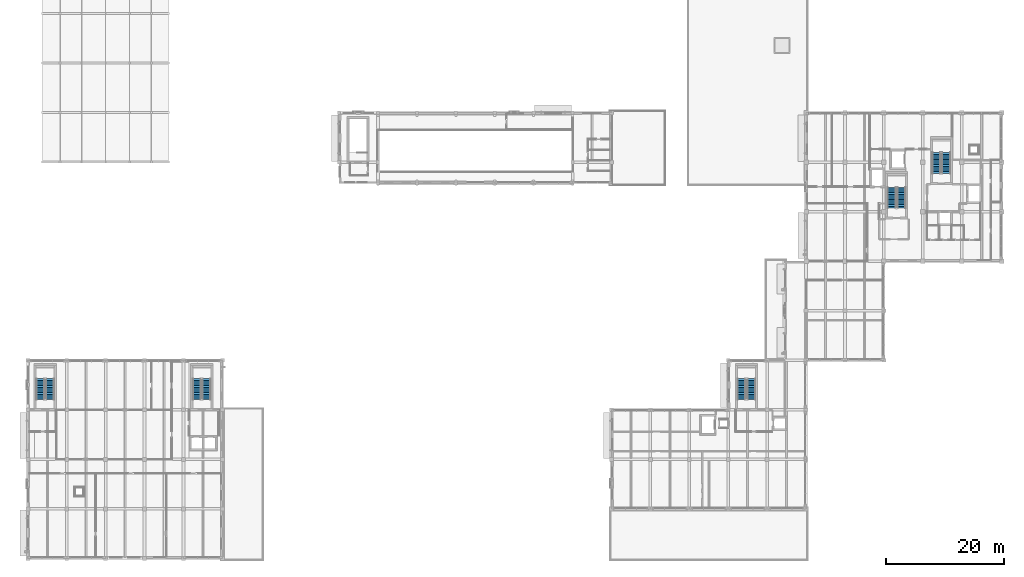
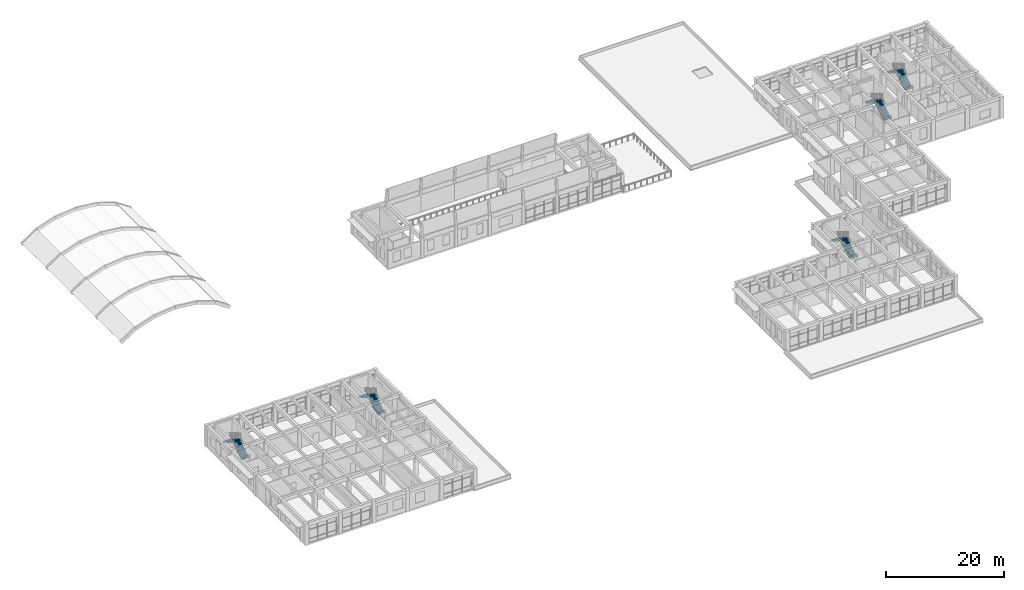
# One storey, part 36 of 50: 10 stair flights, 5 elements without a shape of their own.
"""IFC4 building model written with IfcOpenShell, lengths in metres."""

from ifc_helpers import new_model, si_unit, direction, frame, origin, place, context, subcontext, project, spatial, polyline, outline, extrude, material, type_object, element, aggregate, save


model = new_model("IFC4")

# Units and contexts
model_context = context("Model", 3, precision=1e-05, world=origin(), true_north=direction((0.0, 1.0)))
body_context = subcontext(model_context, "Body", "Model", "MODEL_VIEW")
ifc_project = project(units=[si_unit("LENGTHUNIT", "METRE"), si_unit("AREAUNIT", "SQUARE_METRE"), si_unit("VOLUMEUNIT", "CUBIC_METRE"), si_unit("PLANEANGLEUNIT", "RADIAN"), si_unit("MASSUNIT", "GRAM", prefix="KILO")], contexts=[model_context])

# Site, building, storey
site_placement = place(None, origin())
site = spatial("IfcSite", under=ifc_project, at=site_placement, CompositionType="ELEMENT")
building_placement = place(site_placement, origin())
building = spatial("IfcBuilding", under=site, at=building_placement, Name="Kolvaren Faculty of Natural Sciences", CompositionType="ELEMENT")
storey_placement = place(building_placement, frame((0.0, 0.0, 15.0)))
storey = spatial("IfcBuildingStorey", under=building, at=storey_placement, Name="L03", CompositionType="ELEMENT", Elevation=15.0)

# Stair, stair flights
ifc_material = material(Name="Concrete C35/45", Category="concrete")
stair_type = type_object("IfcStairType", Name="DoglegStair_H4500", PredefinedType="HALF_TURN_STAIR", material=ifc_material)
stair_1_placement = place(storey_placement, origin())
stair_1 = element("IfcStair", 1, at=stair_1_placement, inside=storey, type_object=stair_type, Name="L03 Protected exit stair ST-1", PredefinedType="HALF_TURN_STAIR")
stair_flight_type = type_object("IfcStairFlightType", Name="StairFlight_R1731", PredefinedType="STRAIGHT", material=ifc_material)
stair_flight_1_placement = place(storey_placement, frame((162.574951171875, 73.89990234375, 0.0), z_axis=(0.0, 0.0, 1.0), x_axis=(0.0, 1.0, 0.0)))
stair_flight_1 = element("IfcStairFlight", 2, at=stair_flight_1_placement, type_object=stair_flight_type, Name="ST-1 flight 1", NumberOfRisers=13, NumberOfTreads=12, PredefinedType="STRAIGHT", RiserHeight=0.173076923, TreadLength=0.295, context=body_context, shape_type="SweptSolid", body=[
    extrude(outline(polyline([(0.0, 0.0), (0.0, 0.173095703125), (0.294921875, 0.173095703125), (0.294921875, 0.34619140625), (0.590087890625, 0.34619140625), (0.590087890625, 0.519287109375), (0.885009765625, 0.519287109375), (0.885009765625, 0.6923828125), (1.179931640625, 0.6923828125), (1.179931640625, 0.865478515625), (1.47509765625, 0.865478515625), (1.47509765625, 1.03857421875), (1.77001953125, 1.03857421875), (1.77001953125, 1.21142578125), (2.06494140625, 1.21142578125), (2.06494140625, 1.384521484375), (2.360107421875, 1.384521484375), (2.360107421875, 1.5576171875), (2.655029296875, 1.5576171875), (2.655029296875, 1.730712890625), (2.949951171875, 1.730712890625), (2.949951171875, 1.90380859375), (3.2451171875, 1.90380859375), (3.2451171875, 2.076904296875), (3.5400390625, 2.076904296875), (3.5400390625, 2.25), (3.5400390625, 1.903076171875), (0.296142578125, 0.0), (0.0, 0.0)])), frame((0.0, 0.72509765625, 0.0), z_axis=(0.0, -1.0, 0.0), x_axis=(1.0, 0.0, 0.0)), (0.0, 0.0, 1.0), 1.449951171875),
])
stair_flight_2_placement = place(storey_placement, frame((160.925048828125, 77.43994140625, 2.25), z_axis=(0.0, 0.0, 1.0), x_axis=(0.0, -1.0, 0.0)))
stair_flight_2 = element("IfcStairFlight", 3, at=stair_flight_2_placement, type_object=stair_flight_type, Name="ST-1 flight 2", NumberOfRisers=13, NumberOfTreads=12, PredefinedType="STRAIGHT", RiserHeight=0.173076923, TreadLength=0.295, context=body_context, shape_type="SweptSolid", body=[
    extrude(outline(polyline([(0.0, 0.0), (0.0, 0.173095703125), (0.294921875, 0.173095703125), (0.294921875, 0.34619140625), (0.590087890625, 0.34619140625), (0.590087890625, 0.519287109375), (0.885009765625, 0.519287109375), (0.885009765625, 0.6923828125), (1.179931640625, 0.6923828125), (1.179931640625, 0.865478515625), (1.47509765625, 0.865478515625), (1.47509765625, 1.03857421875), (1.77001953125, 1.03857421875), (1.77001953125, 1.21142578125), (2.06494140625, 1.21142578125), (2.06494140625, 1.384521484375), (2.360107421875, 1.384521484375), (2.360107421875, 1.5576171875), (2.655029296875, 1.5576171875), (2.655029296875, 1.730712890625), (2.949951171875, 1.730712890625), (2.949951171875, 1.90380859375), (3.2451171875, 1.90380859375), (3.2451171875, 2.076904296875), (3.5400390625, 2.076904296875), (3.5400390625, 2.25), (3.5400390625, 1.903076171875), (0.296142578125, 0.0), (0.0, 0.0)])), frame((0.0, 0.72509765625, 0.0), z_axis=(0.0, -1.0, 0.0), x_axis=(1.0, 0.0, 0.0)), (0.0, 0.0, 1.0), 1.449951171875),
])
aggregate(stair_1, [stair_flight_1, stair_flight_2])

stair_2_placement = place(storey_placement, origin())
stair_2 = element("IfcStair", 4, at=stair_2_placement, inside=storey, type_object=stair_type, Name="L03 Protected exit stair ST-2", PredefinedType="HALF_TURN_STAIR")
stair_flight_3_placement = place(storey_placement, frame((154.97509765625, 68.0, 0.0), z_axis=(0.0, 0.0, 1.0), x_axis=(0.0, 1.0, 0.0)))
stair_flight_3 = element("IfcStairFlight", 5, at=stair_flight_3_placement, type_object=stair_flight_type, Name="ST-2 flight 1", NumberOfRisers=13, NumberOfTreads=12, PredefinedType="STRAIGHT", RiserHeight=0.173076923, TreadLength=0.295, context=body_context, shape_type="SweptSolid", body=[
    extrude(outline(polyline([(0.0, 0.0), (0.0, 0.173095703125), (0.294921875, 0.173095703125), (0.294921875, 0.34619140625), (0.590087890625, 0.34619140625), (0.590087890625, 0.519287109375), (0.885009765625, 0.519287109375), (0.885009765625, 0.6923828125), (1.179931640625, 0.6923828125), (1.179931640625, 0.865478515625), (1.47509765625, 0.865478515625), (1.47509765625, 1.03857421875), (1.77001953125, 1.03857421875), (1.77001953125, 1.21142578125), (2.06494140625, 1.21142578125), (2.06494140625, 1.384521484375), (2.360107421875, 1.384521484375), (2.360107421875, 1.5576171875), (2.655029296875, 1.5576171875), (2.655029296875, 1.730712890625), (2.949951171875, 1.730712890625), (2.949951171875, 1.90380859375), (3.2451171875, 1.90380859375), (3.2451171875, 2.076904296875), (3.5400390625, 2.076904296875), (3.5400390625, 2.25), (3.5400390625, 1.903076171875), (0.296142578125, 0.0), (0.0, 0.0)])), frame((0.0, 0.72509765625, 0.0), z_axis=(0.0, -1.0, 0.0), x_axis=(1.0, 0.0, 0.0)), (0.0, 0.0, 1.0), 1.449951171875),
])
stair_flight_4_placement = place(storey_placement, frame((153.324951171875, 71.5400390625, 2.25), z_axis=(0.0, 0.0, 1.0), x_axis=(0.0, -1.0, 0.0)))
stair_flight_4 = element("IfcStairFlight", 6, at=stair_flight_4_placement, type_object=stair_flight_type, Name="ST-2 flight 2", NumberOfRisers=13, NumberOfTreads=12, PredefinedType="STRAIGHT", RiserHeight=0.173076923, TreadLength=0.295, context=body_context, shape_type="SweptSolid", body=[
    extrude(outline(polyline([(0.0, 0.0), (0.0, 0.173095703125), (0.294921875, 0.173095703125), (0.294921875, 0.34619140625), (0.590087890625, 0.34619140625), (0.590087890625, 0.519287109375), (0.885009765625, 0.519287109375), (0.885009765625, 0.6923828125), (1.179931640625, 0.6923828125), (1.179931640625, 0.865478515625), (1.47509765625, 0.865478515625), (1.47509765625, 1.03857421875), (1.77001953125, 1.03857421875), (1.77001953125, 1.21142578125), (2.06494140625, 1.21142578125), (2.06494140625, 1.384521484375), (2.360107421875, 1.384521484375), (2.360107421875, 1.5576171875), (2.655029296875, 1.5576171875), (2.655029296875, 1.730712890625), (2.949951171875, 1.730712890625), (2.949951171875, 1.90380859375), (3.2451171875, 1.90380859375), (3.2451171875, 2.076904296875), (3.5400390625, 2.076904296875), (3.5400390625, 2.25), (3.5400390625, 1.903076171875), (0.296142578125, 0.0), (0.0, 0.0)])), frame((0.0, 0.72509765625, 0.0), z_axis=(0.0, -1.0, 0.0), x_axis=(1.0, 0.0, 0.0)), (0.0, 0.0, 1.0), 1.449951171875),
])
aggregate(stair_2, [stair_flight_3, stair_flight_4])

stair_3_placement = place(storey_placement, origin())
stair_3 = element("IfcStair", 7, at=stair_3_placement, inside=storey, type_object=stair_type, Name="L03 Protected exit stair ST-3", PredefinedType="HALF_TURN_STAIR")
stair_flight_5_placement = place(storey_placement, frame((129.52490234375, 35.550048828125, 0.0), z_axis=(0.0, 0.0, 1.0), x_axis=(0.0, 1.0, 0.0)))
stair_flight_5 = element("IfcStairFlight", 8, at=stair_flight_5_placement, type_object=stair_flight_type, Name="ST-3 flight 1", NumberOfRisers=13, NumberOfTreads=12, PredefinedType="STRAIGHT", RiserHeight=0.173076923, TreadLength=0.295, context=body_context, shape_type="SweptSolid", body=[
    extrude(outline(polyline([(0.0, 0.0), (0.0, 0.173095703125), (0.294921875, 0.173095703125), (0.294921875, 0.34619140625), (0.590087890625, 0.34619140625), (0.590087890625, 0.519287109375), (0.885009765625, 0.519287109375), (0.885009765625, 0.6923828125), (1.179931640625, 0.6923828125), (1.179931640625, 0.865478515625), (1.47509765625, 0.865478515625), (1.47509765625, 1.03857421875), (1.77001953125, 1.03857421875), (1.77001953125, 1.21142578125), (2.06494140625, 1.21142578125), (2.06494140625, 1.384521484375), (2.360107421875, 1.384521484375), (2.360107421875, 1.5576171875), (2.655029296875, 1.5576171875), (2.655029296875, 1.730712890625), (2.949951171875, 1.730712890625), (2.949951171875, 1.90380859375), (3.2451171875, 1.90380859375), (3.2451171875, 2.076904296875), (3.5400390625, 2.076904296875), (3.5400390625, 2.25), (3.5400390625, 1.903076171875), (0.296142578125, 0.0), (0.0, 0.0)])), frame((0.0, 0.72509765625, 0.0), z_axis=(0.0, -1.0, 0.0), x_axis=(1.0, 0.0, 0.0)), (0.0, 0.0, 1.0), 1.449951171875),
])
stair_flight_6_placement = place(storey_placement, frame((127.875, 39.090087890625, 2.25), z_axis=(0.0, 0.0, 1.0), x_axis=(0.0, -1.0, 0.0)))
stair_flight_6 = element("IfcStairFlight", 9, at=stair_flight_6_placement, type_object=stair_flight_type, Name="ST-3 flight 2", NumberOfRisers=13, NumberOfTreads=12, PredefinedType="STRAIGHT", RiserHeight=0.173076923, TreadLength=0.295, context=body_context, shape_type="SweptSolid", body=[
    extrude(outline(polyline([(0.0, 0.0), (0.0, 0.173095703125), (0.294921875, 0.173095703125), (0.294921875, 0.34619140625), (0.590087890625, 0.34619140625), (0.590087890625, 0.519287109375), (0.885009765625, 0.519287109375), (0.885009765625, 0.6923828125), (1.179931640625, 0.6923828125), (1.179931640625, 0.865478515625), (1.47509765625, 0.865478515625), (1.47509765625, 1.03857421875), (1.77001953125, 1.03857421875), (1.77001953125, 1.21142578125), (2.06494140625, 1.21142578125), (2.06494140625, 1.384521484375), (2.360107421875, 1.384521484375), (2.360107421875, 1.5576171875), (2.655029296875, 1.5576171875), (2.655029296875, 1.730712890625), (2.949951171875, 1.730712890625), (2.949951171875, 1.90380859375), (3.2451171875, 1.90380859375), (3.2451171875, 2.076904296875), (3.5400390625, 2.076904296875), (3.5400390625, 2.25), (3.5400390625, 1.903076171875), (0.296142578125, 0.0), (0.0, 0.0)])), frame((0.0, 0.72509765625, 0.0), z_axis=(0.0, -1.0, 0.0), x_axis=(1.0, 0.0, 0.0)), (0.0, 0.0, 1.0), 1.449951171875),
])
aggregate(stair_3, [stair_flight_5, stair_flight_6])

stair_4_placement = place(storey_placement, origin())
stair_4 = element("IfcStair", 10, at=stair_4_placement, inside=storey, type_object=stair_type, Name="L03 Protected exit stair ST-4", PredefinedType="HALF_TURN_STAIR")
stair_flight_7_placement = place(storey_placement, frame((37.125, 35.550048828125, 0.0), z_axis=(0.0, 0.0, 1.0), x_axis=(0.0, 1.0, 0.0)))
stair_flight_7 = element("IfcStairFlight", 11, at=stair_flight_7_placement, type_object=stair_flight_type, Name="ST-4 flight 1", NumberOfRisers=13, NumberOfTreads=12, PredefinedType="STRAIGHT", RiserHeight=0.173076923, TreadLength=0.295, context=body_context, shape_type="SweptSolid", body=[
    extrude(outline(polyline([(0.0, 0.0), (0.0, 0.173095703125), (0.294921875, 0.173095703125), (0.294921875, 0.34619140625), (0.590087890625, 0.34619140625), (0.590087890625, 0.519287109375), (0.885009765625, 0.519287109375), (0.885009765625, 0.6923828125), (1.179931640625, 0.6923828125), (1.179931640625, 0.865478515625), (1.47509765625, 0.865478515625), (1.47509765625, 1.03857421875), (1.77001953125, 1.03857421875), (1.77001953125, 1.21142578125), (2.06494140625, 1.21142578125), (2.06494140625, 1.384521484375), (2.360107421875, 1.384521484375), (2.360107421875, 1.5576171875), (2.655029296875, 1.5576171875), (2.655029296875, 1.730712890625), (2.949951171875, 1.730712890625), (2.949951171875, 1.90380859375), (3.2451171875, 1.90380859375), (3.2451171875, 2.076904296875), (3.5400390625, 2.076904296875), (3.5400390625, 2.25), (3.5400390625, 1.903076171875), (0.296142578125, 0.0), (0.0, 0.0)])), frame((0.0, 0.72509765625, 0.0), z_axis=(0.0, -1.0, 0.0), x_axis=(1.0, 0.0, 0.0)), (0.0, 0.0, 1.0), 1.449951171875),
])
stair_flight_8_placement = place(storey_placement, frame((35.47509765625, 39.090087890625, 2.25), z_axis=(0.0, 0.0, 1.0), x_axis=(0.0, -1.0, 0.0)))
stair_flight_8 = element("IfcStairFlight", 12, at=stair_flight_8_placement, type_object=stair_flight_type, Name="ST-4 flight 2", NumberOfRisers=13, NumberOfTreads=12, PredefinedType="STRAIGHT", RiserHeight=0.173076923, TreadLength=0.295, context=body_context, shape_type="SweptSolid", body=[
    extrude(outline(polyline([(0.0, 0.0), (0.0, 0.173095703125), (0.294921875, 0.173095703125), (0.294921875, 0.34619140625), (0.590087890625, 0.34619140625), (0.590087890625, 0.519287109375), (0.885009765625, 0.519287109375), (0.885009765625, 0.6923828125), (1.179931640625, 0.6923828125), (1.179931640625, 0.865478515625), (1.47509765625, 0.865478515625), (1.47509765625, 1.03857421875), (1.77001953125, 1.03857421875), (1.77001953125, 1.21142578125), (2.06494140625, 1.21142578125), (2.06494140625, 1.384521484375), (2.360107421875, 1.384521484375), (2.360107421875, 1.5576171875), (2.655029296875, 1.5576171875), (2.655029296875, 1.730712890625), (2.949951171875, 1.730712890625), (2.949951171875, 1.90380859375), (3.2451171875, 1.90380859375), (3.2451171875, 2.076904296875), (3.5400390625, 2.076904296875), (3.5400390625, 2.25), (3.5400390625, 1.903076171875), (0.296142578125, 0.0), (0.0, 0.0)])), frame((0.0, 0.72509765625, 0.0), z_axis=(0.0, -1.0, 0.0), x_axis=(1.0, 0.0, 0.0)), (0.0, 0.0, 1.0), 1.449951171875),
])
aggregate(stair_4, [stair_flight_7, stair_flight_8])

stair_5_placement = place(storey_placement, origin())
stair_5 = element("IfcStair", 13, at=stair_5_placement, inside=storey, type_object=stair_type, Name="L03 Protected exit stair ST-8", PredefinedType="HALF_TURN_STAIR")
stair_flight_9_placement = place(storey_placement, frame((10.574951171875, 35.550048828125, 0.0), z_axis=(0.0, 0.0, 1.0), x_axis=(0.0, 1.0, 0.0)))
stair_flight_9 = element("IfcStairFlight", 14, at=stair_flight_9_placement, type_object=stair_flight_type, Name="ST-8 flight 1", NumberOfRisers=13, NumberOfTreads=12, PredefinedType="STRAIGHT", RiserHeight=0.173076923, TreadLength=0.295, context=body_context, shape_type="SweptSolid", body=[
    extrude(outline(polyline([(0.0, 0.0), (0.0, 0.173095703125), (0.294921875, 0.173095703125), (0.294921875, 0.34619140625), (0.590087890625, 0.34619140625), (0.590087890625, 0.519287109375), (0.885009765625, 0.519287109375), (0.885009765625, 0.6923828125), (1.179931640625, 0.6923828125), (1.179931640625, 0.865478515625), (1.47509765625, 0.865478515625), (1.47509765625, 1.03857421875), (1.77001953125, 1.03857421875), (1.77001953125, 1.21142578125), (2.06494140625, 1.21142578125), (2.06494140625, 1.384521484375), (2.360107421875, 1.384521484375), (2.360107421875, 1.5576171875), (2.655029296875, 1.5576171875), (2.655029296875, 1.730712890625), (2.949951171875, 1.730712890625), (2.949951171875, 1.90380859375), (3.2451171875, 1.90380859375), (3.2451171875, 2.076904296875), (3.5400390625, 2.076904296875), (3.5400390625, 2.25), (3.5400390625, 1.903076171875), (0.296142578125, 0.0), (0.0, 0.0)])), frame((0.0, 0.72509765625, 0.0), z_axis=(0.0, -1.0, 0.0), x_axis=(1.0, 0.0, 0.0)), (0.0, 0.0, 1.0), 1.449951171875),
])
stair_flight_10_placement = place(storey_placement, frame((8.925048828125, 39.090087890625, 2.25), z_axis=(0.0, 0.0, 1.0), x_axis=(0.0, -1.0, 0.0)))
stair_flight_10 = element("IfcStairFlight", 15, at=stair_flight_10_placement, type_object=stair_flight_type, Name="ST-8 flight 2", NumberOfRisers=13, NumberOfTreads=12, PredefinedType="STRAIGHT", RiserHeight=0.173076923, TreadLength=0.295, context=body_context, shape_type="SweptSolid", body=[
    extrude(outline(polyline([(0.0, 0.0), (0.0, 0.173095703125), (0.294921875, 0.173095703125), (0.294921875, 0.34619140625), (0.590087890625, 0.34619140625), (0.590087890625, 0.519287109375), (0.885009765625, 0.519287109375), (0.885009765625, 0.6923828125), (1.179931640625, 0.6923828125), (1.179931640625, 0.865478515625), (1.47509765625, 0.865478515625), (1.47509765625, 1.03857421875), (1.77001953125, 1.03857421875), (1.77001953125, 1.21142578125), (2.06494140625, 1.21142578125), (2.06494140625, 1.384521484375), (2.360107421875, 1.384521484375), (2.360107421875, 1.5576171875), (2.655029296875, 1.5576171875), (2.655029296875, 1.730712890625), (2.949951171875, 1.730712890625), (2.949951171875, 1.90380859375), (3.2451171875, 1.90380859375), (3.2451171875, 2.076904296875), (3.5400390625, 2.076904296875), (3.5400390625, 2.25), (3.5400390625, 1.903076171875), (0.296142578125, 0.0), (0.0, 0.0)])), frame((0.0, 0.72509765625, 0.0), z_axis=(0.0, -1.0, 0.0), x_axis=(1.0, 0.0, 0.0)), (0.0, 0.0, 1.0), 1.449951171875),
])
aggregate(stair_5, [stair_flight_9, stair_flight_10])

save(model, "model.ifc")
